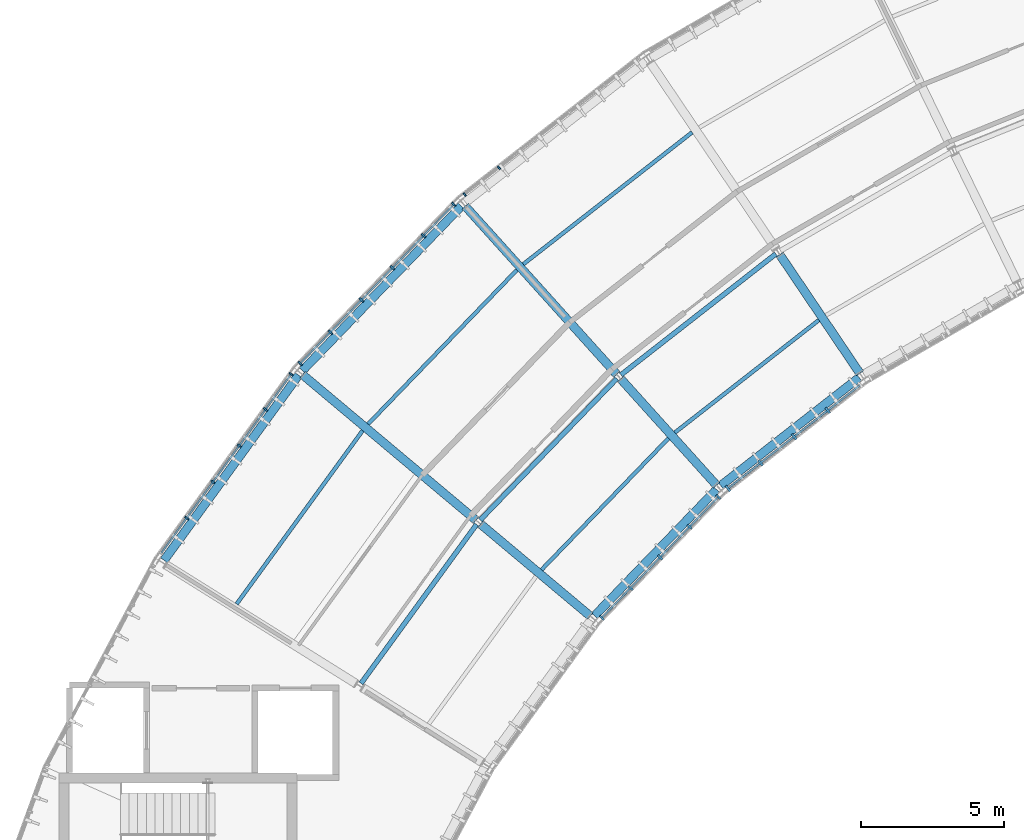
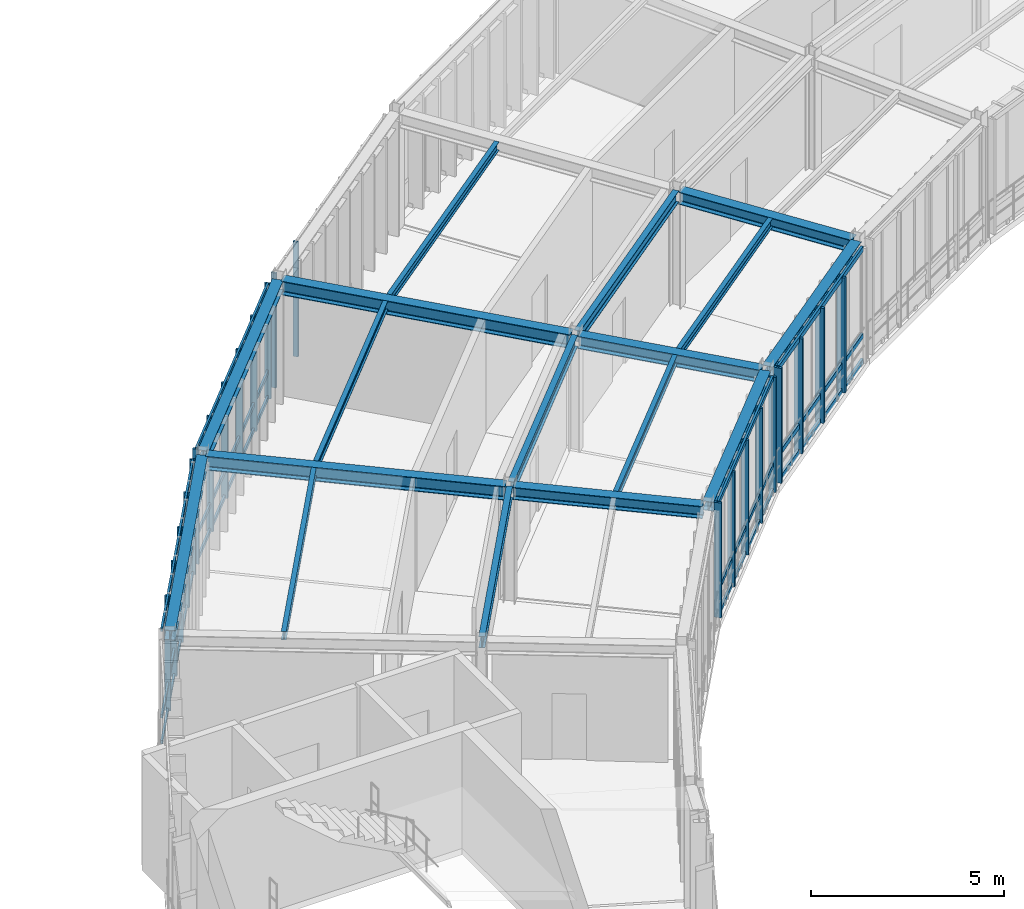
# One storey, part 12 of 42: 34 members, 17 beams, 5 elements without a shape of their own.
"""IFC4 building model written with IfcOpenShell, lengths in metres."""

from ifc_helpers import new_model, si_unit, direction, frame, origin, origin_2d, place, context, subcontext, project, spatial, rectangle, i_section, extrude, material, layer, layer_set, material_profile, profile_set, type_object, element, aggregate, save


model = new_model("IFC4")

# Units and contexts
model_context = context("Model", 3, precision=1e-05, world=origin(), true_north=direction((0.0, 1.0)))
body_context = subcontext(model_context, "Body", "Model", "MODEL_VIEW")
ifc_project = project(units=[si_unit("LENGTHUNIT", "METRE"), si_unit("AREAUNIT", "SQUARE_METRE"), si_unit("VOLUMEUNIT", "CUBIC_METRE"), si_unit("PLANEANGLEUNIT", "RADIAN"), si_unit("MASSUNIT", "GRAM", prefix="KILO"), si_unit("THERMODYNAMICTEMPERATUREUNIT", "KELVIN"), si_unit("POWERUNIT", "WATT")], contexts=[model_context])

# Site, building, storey
site_placement = place(None, origin())
site = spatial("IfcSite", under=ifc_project, at=site_placement, CompositionType="ELEMENT")
building_placement = place(site_placement, origin())
building = spatial("IfcBuilding", under=site, at=building_placement, Name="Solvatero Civic Police Headquarters", CompositionType="ELEMENT")
storey_placement = place(building_placement, frame((0.0, 0.0, 21.60009765625)))
storey = spatial("IfcBuildingStorey", under=building, at=storey_placement, Name="L05", CompositionType="ELEMENT", Elevation=21.60009765625)

# Beams
ifc_material_1 = material(Name="Steel S355", Category="steel")
ifc_material_profile_1 = material_profile(ifc_material_1, i_section(OverallWidth=0.300048828125, OverallDepth=0.2900390625, WebThickness=0.008544921875, FlangeThickness=0.013916015625, FilletRadius=0.027099609375, at=origin_2d()), Name="HEA 300")
ifc_profile_set_1 = profile_set([ifc_material_profile_1], Name="Steel S355")
beam_type_1 = type_object("IfcBeamType", Name="BM-ST-HEA300", PredefinedType="SPANDREL", material=ifc_profile_set_1)
for number, where, z_axis, x_axis, name in (
    (1, (68.561767578125, 63.535400390625, 3.554931640625), (-0.788005042089, -0.615668785665, 0.0), (0.615668785665, -0.788005042089, 0.0), "Perimeter / radial spandrel beam BM-R2-L05-ARC-CIN-B06"),
    (2, (63.58544921875, 59.629638671875, 3.554931640625), (-0.694666334327, -0.719332109635, 0.0), (0.719332109635, -0.694666334327, 0.0), "Perimeter / radial spandrel beam BM-R2-L05-ARC-CIN-B07"),
):
    element("IfcBeam", number, at=place(storey_placement, frame(where, z_axis=z_axis, x_axis=x_axis)), inside=storey, type_object=beam_type_1, Name=name, PredefinedType="SPANDREL", context=body_context, shape_type="SweptSolid", body=[
        extrude(i_section(OverallWidth=0.300048828125, OverallDepth=0.2900390625, WebThickness=0.008544921875, FlangeThickness=0.013916015625, FilletRadius=0.027099609375, at=origin_2d()), origin(), (0.0, 0.0, 1.0), 6.126953125),
    ])
ifc_material_profile_2 = material_profile(ifc_material_1, i_section(OverallWidth=0.300048828125, OverallDepth=0.31005859375, WebThickness=0.009033203125, FlangeThickness=0.015380859375, FilletRadius=0.027099609375, at=origin_2d()), Name="HEA 320")
ifc_profile_set_2 = profile_set([ifc_material_profile_2], Name="Steel S355")
beam_type_2 = type_object("IfcBeamType", Name="BM-ST-HEA320", PredefinedType="SPANDREL", material=ifc_profile_set_2)
beam_1_placement = place(storey_placement, frame((54.68603515625, 69.513427734375, 3.544921875), z_axis=(-0.694657827695, -0.719340324479, 0.0), x_axis=(0.719340324479, -0.694657827695, 0.0)))
element("IfcBeam", 3, at=beam_1_placement, inside=storey, type_object=beam_type_2, Name="Perimeter / radial spandrel beam BM-R2-L05-ARC-COUT-B07", PredefinedType="SPANDREL", context=body_context, shape_type="SweptSolid", body=[
    extrude(i_section(OverallWidth=0.300048828125, OverallDepth=0.31005859375, WebThickness=0.009033203125, FlangeThickness=0.015380859375, FilletRadius=0.027099609375, at=origin_2d()), origin(), (0.0, 0.0, 1.0), 7.982177734375),
])
beam_2_placement = place(storey_placement, frame((49.0126953125, 63.61865234375, 3.544921875), z_axis=(-0.587775184232, -0.809024309153, 0.0), x_axis=(0.809024309153, -0.587775184232, 0.0)))
element("IfcBeam", 4, at=beam_2_placement, inside=storey, type_object=beam_type_2, Name="Perimeter / radial spandrel beam BM-R2-L05-ARC-COUT-B08", PredefinedType="SPANDREL", context=body_context, shape_type="SweptSolid", body=[
    extrude(i_section(OverallWidth=0.300048828125, OverallDepth=0.31005859375, WebThickness=0.009033203125, FlangeThickness=0.015380859375, FilletRadius=0.027099609375, at=origin_2d()), origin(), (0.0, 0.0, 1.0), 7.982421875),
])
ifc_material_profile_3 = material_profile(ifc_material_1, i_section(OverallWidth=0.300048828125, OverallDepth=0.389892578125, WebThickness=0.010986328125, FlangeThickness=0.01904296875, FilletRadius=0.027099609375, at=origin_2d()), Name="HEA 400")
ifc_profile_set_3 = profile_set([ifc_material_profile_3], Name="Steel S355")
beam_type_3 = type_object("IfcBeamType", Name="BM-ST-HEA400", PredefinedType="BEAM", material=ifc_profile_set_3)
for number, where, z_axis, x_axis, name in (
    (5, (68.584716796875, 63.6796875, 3.5048828125), (-0.559176791171, 0.829048440211, 0.0), (-0.829048440211, -0.559176791171, 0.0), "Primary girder BM-R2-L05-ARC-RAD1-S05"),
    (6, (63.587890625, 59.77587890625, 3.5048828125), (-0.669126573551, 0.743148456614, 0.0), (-0.743148456614, -0.669126573551, 0.0), "Primary girder BM-R2-L05-ARC-RAD1-S06"),
):
    element("IfcBeam", number, at=place(storey_placement, frame(where, z_axis=z_axis, x_axis=x_axis)), inside=storey, type_object=beam_type_3, Name=name, PredefinedType="BEAM", context=body_context, shape_type="SweptSolid", body=[
        extrude(i_section(OverallWidth=0.300048828125, OverallDepth=0.389892578125, WebThickness=0.010986328125, FlangeThickness=0.01904296875, FilletRadius=0.027099609375, at=origin_2d()), origin(), (0.0, 0.0, 1.0), 5.0),
    ])
beam_3_placement = place(storey_placement, frame((59.183349609375, 55.214599609375, 3.5048828125), z_axis=(-0.766035646312, 0.642798093167, 0.0), x_axis=(-0.642798093167, -0.766035646312, 0.0)))
element("IfcBeam", 7, at=beam_3_placement, inside=storey, type_object=beam_type_3, Name="Primary girder BM-R2-L05-ARC-RAD1-S07", PredefinedType="BEAM", context=body_context, shape_type="SweptSolid", body=[
    extrude(i_section(OverallWidth=0.300048828125, OverallDepth=0.389892578125, WebThickness=0.010986328125, FlangeThickness=0.01904296875, FilletRadius=0.027099609375, at=origin_2d()), origin(), (0.0, 0.0, 1.0), 5.000244140625),
])
ifc_material_profile_4 = material_profile(ifc_material_1, i_section(OverallWidth=0.300048828125, OverallDepth=0.43994140625, WebThickness=0.011474609375, FlangeThickness=0.02099609375, FilletRadius=0.027099609375, at=origin_2d()), Name="HEA 450")
ifc_profile_set_4 = profile_set([ifc_material_profile_4], Name="Steel S355")
beam_type_4 = type_object("IfcBeamType", Name="BM-ST-HEA450", PredefinedType="BEAM", material=ifc_profile_set_4)
beam_4_placement = place(storey_placement, frame((60.1083984375, 63.640380859375, 3.47998046875), z_axis=(-0.669128632475, 0.743146602766, 0.0), x_axis=(-0.743146602766, -0.669128632475, 0.0)))
element("IfcBeam", 8, at=beam_4_placement, inside=storey, type_object=beam_type_4, Name="Primary girder BM-R2-L05-ARC-RAD2-S06", PredefinedType="BEAM", context=body_context, shape_type="SweptSolid", body=[
    extrude(i_section(OverallWidth=0.300048828125, OverallDepth=0.43994140625, WebThickness=0.011474609375, FlangeThickness=0.02099609375, FilletRadius=0.027099609375, at=origin_2d()), origin(), (0.0, 0.0, 1.0), 7.899658203125),
])
beam_5_placement = place(storey_placement, frame((55.199951171875, 58.55712890625, 3.47998046875), z_axis=(-0.766038381489, 0.642794833587, 0.0), x_axis=(-0.642794833587, -0.766038381489, 0.0)))
element("IfcBeam", 9, at=beam_5_placement, inside=storey, type_object=beam_type_4, Name="Primary girder BM-R2-L05-ARC-RAD2-S07", PredefinedType="BEAM", context=body_context, shape_type="SweptSolid", body=[
    extrude(i_section(OverallWidth=0.300048828125, OverallDepth=0.43994140625, WebThickness=0.011474609375, FlangeThickness=0.02099609375, FilletRadius=0.027099609375, at=origin_2d()), origin(), (0.0, 0.0, 1.0), 7.900146484375),
])
ifc_material_profile_5 = material_profile(ifc_material_1, i_section(OverallWidth=0.135009765625, OverallDepth=0.27001953125, WebThickness=0.006591796875, FlangeThickness=0.01025390625, FilletRadius=0.014892578125, at=origin_2d()), Name="IPE 270")
ifc_profile_set_5 = profile_set([ifc_material_profile_5], Name="Steel S355")
beam_type_5 = type_object("IfcBeamType", Name="BM-ST-IPE270", PredefinedType="BEAM", material=ifc_profile_set_5)
beam_6_placement = place(storey_placement, frame((67.15234375, 65.53564453125, 3.56494140625), z_axis=(-0.787994151897, -0.615682723955, 0.0), x_axis=(0.615682723955, -0.787994151897, 0.0)))
element("IfcBeam", 10, at=beam_6_placement, inside=storey, type_object=beam_type_5, Name="Composite floor beam BM-R2-L05-ARC-CS1-B06", PredefinedType="BEAM", context=body_context, shape_type="SweptSolid", body=[
    extrude(i_section(OverallWidth=0.135009765625, OverallDepth=0.27001953125, WebThickness=0.006591796875, FlangeThickness=0.01025390625, FilletRadius=0.014892578125, at=origin_2d()), origin(), (0.0, 0.0, 1.0), 6.36865234375),
])
beam_7_placement = place(storey_placement, frame((62.73486328125, 72.085205078125, 3.56494140625), z_axis=(-0.78800951062, -0.615663066272, 0.0), x_axis=(0.615663066272, -0.78800951062, 0.0)))
element("IfcBeam", 11, at=beam_7_placement, inside=storey, type_object=beam_type_5, Name="Composite floor beam BM-R2-L05-ARC-CS2-B06", PredefinedType="BEAM", context=body_context, shape_type="SweptSolid", body=[
    extrude(i_section(OverallWidth=0.135009765625, OverallDepth=0.27001953125, WebThickness=0.006591796875, FlangeThickness=0.01025390625, FilletRadius=0.014892578125, at=origin_2d()), origin(), (0.0, 0.0, 1.0), 7.470947265625),
])
beam_8_placement = place(storey_placement, frame((61.911376953125, 61.414306640625, 3.56494140625), z_axis=(-0.694655397836, -0.719342670956, 0.0), x_axis=(0.719342670956, -0.694655397836, 0.0)))
element("IfcBeam", 12, at=beam_8_placement, inside=storey, type_object=beam_type_5, Name="Composite floor beam BM-R2-L05-ARC-CS1-B07", PredefinedType="BEAM", context=body_context, shape_type="SweptSolid", body=[
    extrude(i_section(OverallWidth=0.135009765625, OverallDepth=0.27001953125, WebThickness=0.006591796875, FlangeThickness=0.01025390625, FilletRadius=0.014892578125, at=origin_2d()), origin(), (0.0, 0.0, 1.0), 6.36865234375),
])
for number, where, z_axis, x_axis, name in (
    (13, (56.625244140625, 67.285400390625, 3.56494140625), (-0.69464641537, -0.719351345042, 0.0), (0.719351345042, -0.69464641537, 0.0), "Composite floor beam BM-R2-L05-ARC-CS2-B07"),
    (14, (51.2431640625, 61.681884765625, 3.56494140625), (-0.587800506185, -0.809005911554, 0.0), (0.809005911554, -0.587800506185, 0.0), "Composite floor beam BM-R2-L05-ARC-CS2-B08"),
):
    element("IfcBeam", number, at=place(storey_placement, frame(where, z_axis=z_axis, x_axis=x_axis)), inside=storey, type_object=beam_type_5, Name=name, PredefinedType="BEAM", context=body_context, shape_type="SweptSolid", body=[
        extrude(i_section(OverallWidth=0.135009765625, OverallDepth=0.27001953125, WebThickness=0.006591796875, FlangeThickness=0.01025390625, FilletRadius=0.014892578125, at=origin_2d()), origin(), (0.0, 0.0, 1.0), 7.470947265625),
    ])
ifc_material_profile_6 = material_profile(ifc_material_1, i_section(OverallWidth=0.169921875, OverallDepth=0.360107421875, WebThickness=0.008056640625, FlangeThickness=0.0126953125, FilletRadius=0.01806640625, at=origin_2d()), Name="IPE 360")
ifc_profile_set_6 = profile_set([ifc_material_profile_6], Name="Steel S355")
beam_type_6 = type_object("IfcBeamType", Name="BM-ST-IPE360", PredefinedType="BEAM", material=ifc_profile_set_6)
beam_9_placement = place(storey_placement, frame((65.654052734375, 67.84619140625, 3.52001953125), z_axis=(-0.788036257023, -0.615628831047, 0.0), x_axis=(0.615628831047, -0.788036257023, 0.0)))
element("IfcBeam", 15, at=beam_9_placement, inside=storey, type_object=beam_type_6, Name="Composite floor beam BM-R2-L05-ARC-CMID-B06", PredefinedType="BEAM", context=body_context, shape_type="SweptSolid", body=[
    extrude(i_section(OverallWidth=0.169921875, OverallDepth=0.360107421875, WebThickness=0.008056640625, FlangeThickness=0.0126953125, FilletRadius=0.01806640625, at=origin_2d()), origin(), (0.0, 0.0, 1.0), 6.852294921875),
])
for number, where, z_axis, x_axis, name in (
    (16, (60.10595703125, 63.494140625, 3.52001953125), (-0.694635840839, -0.719361556258, 0.0), (0.719361556258, -0.694635840839, 0.0), "Composite floor beam BM-R2-L05-ARC-CMID-B07"),
    (17, (55.2177734375, 58.412109375, 3.52001953125), (-0.587794552249, -0.809010237479, 0.0), (0.809010237479, -0.587794552249, 0.0), "Composite floor beam BM-R2-L05-ARC-CMID-B08"),
):
    element("IfcBeam", number, at=place(storey_placement, frame(where, z_axis=z_axis, x_axis=x_axis)), inside=storey, type_object=beam_type_6, Name=name, PredefinedType="BEAM", context=body_context, shape_type="SweptSolid", body=[
        extrude(i_section(OverallWidth=0.169921875, OverallDepth=0.360107421875, WebThickness=0.008056640625, FlangeThickness=0.0126953125, FilletRadius=0.01806640625, at=origin_2d()), origin(), (0.0, 0.0, 1.0), 6.8525390625),
    ])

# Curtain wall, members
ifc_material_2 = material(Name="Anodized Bronze Aluminium", Category="aluminium")
ifc_layer_1 = layer(ifc_material_2, 0.179931640625)
ifc_layer_set_1 = layer_set([ifc_layer_1], Name="Anodized Bronze Aluminium")
curtain_wall_type_1 = type_object("IfcCurtainWallType", Name="CW-ARC-IN", PredefinedType="USERDEFINED", material=ifc_layer_set_1)
curtain_wall_1_placement = place(storey_placement, origin())
curtain_wall_1 = element("IfcCurtainWall", 18, at=curtain_wall_1_placement, inside=storey, type_object=curtain_wall_type_1, Name="Curtain Wall CW-R2-L05-ARC-IN-B06", ObjectType="UNITISED", PredefinedType="USERDEFINED")
ifc_material_profile_7 = material_profile(ifc_material_2, rectangle(XDim=0.080078125, YDim=0.239990234375, at=origin_2d()), Name="ALU MULLION 80x240")
ifc_profile_set_7 = profile_set([ifc_material_profile_7], Name="Anodized Bronze Aluminium")
member_type_1 = type_object("IfcMemberType", Name="CWM-140x60", PredefinedType="MULLION", material=ifc_profile_set_7)
member_1_placement = place(storey_placement, frame((67.462646484375, 62.38525390625, 0.0), z_axis=(0.0, 0.0, 1.0), x_axis=(-0.788010753607, -0.615661475326, 0.0)))
member_1 = element("IfcMember", 19, at=member_1_placement, type_object=member_type_1, Name="CW-R2-L05-ARC-IN-B06 Mullion 2", PredefinedType="MULLION", context=body_context, shape_type="SweptSolid", body=[
    extrude(rectangle(XDim=0.080078125, YDim=0.239990234375, at=origin_2d()), origin(), (0.0, 0.0, 1.0), 3.639892578125),
])
member_2_placement = place(storey_placement, frame((66.29296875, 61.471435546875, 0.0), z_axis=(0.0, 0.0, 1.0), x_axis=(-0.788010753607, -0.615661475326, 0.0)))
member_2 = element("IfcMember", 20, at=member_2_placement, type_object=member_type_1, Name="CW-R2-L05-ARC-IN-B06 Mullion 3", PredefinedType="MULLION", context=body_context, shape_type="SweptSolid", body=[
    extrude(rectangle(XDim=0.080078125, YDim=0.239990234375, at=origin_2d()), origin(), (0.0, 0.0, 1.0), 3.639892578125),
])
member_3_placement = place(storey_placement, frame((65.123291015625, 60.5576171875, 0.0), z_axis=(0.0, 0.0, 1.0), x_axis=(-0.788010753607, -0.615661475326, 0.0)))
member_3 = element("IfcMember", 21, at=member_3_placement, type_object=member_type_1, Name="CW-R2-L05-ARC-IN-B06 Mullion 4", PredefinedType="MULLION", context=body_context, shape_type="SweptSolid", body=[
    extrude(rectangle(XDim=0.080078125, YDim=0.239990234375, at=origin_2d()), origin(), (0.0, 0.0, 1.0), 3.639892578125),
])
member_4_placement = place(storey_placement, frame((63.985107421875, 59.66845703125, 0.0), z_axis=(0.0, 0.0, 1.0), x_axis=(-0.788010753607, -0.615661475326, 0.0)))
member_4 = element("IfcMember", 22, at=member_4_placement, type_object=member_type_1, Name="CW-R2-L05-ARC-IN-B06 Mullion 5", PredefinedType="MULLION", context=body_context, shape_type="SweptSolid", body=[
    extrude(rectangle(XDim=0.080078125, YDim=0.239990234375, at=origin_2d()), origin(), (0.0, 0.0, 1.0), 3.639892578125),
])

ifc_layer_2 = layer(ifc_material_2, 0.179931640625)
ifc_layer_set_2 = layer_set([ifc_layer_2], Name="Anodized Bronze Aluminium")
curtain_wall_type_2 = type_object("IfcCurtainWallType", Name="CW-ARC-OUT", PredefinedType="USERDEFINED", material=ifc_layer_set_2)
curtain_wall_2_placement = place(storey_placement, origin())
curtain_wall_2 = element("IfcCurtainWall", 23, at=curtain_wall_2_placement, inside=storey, type_object=curtain_wall_type_2, Name="Curtain Wall CW-R2-L05-ARC-OUT-B06", ObjectType="UNITISED", PredefinedType="USERDEFINED")
ifc_material_profile_8 = material_profile(ifc_material_2, rectangle(XDim=0.06005859375, YDim=0.139892578125, at=origin_2d()), Name="ALU MULLION 60x140")
ifc_profile_set_8 = profile_set([ifc_material_profile_8], Name="Anodized Bronze Aluminium")
member_type_2 = type_object("IfcMemberType", Name="CWM-160x65", PredefinedType="MULLION", material=ifc_profile_set_8)
member_5_placement = place(storey_placement, frame((56.0, 70.848876953125, 0.0), z_axis=(0.0, 0.0, 1.0), x_axis=(-0.788010753607, -0.615661475326, 0.0)))
member_5 = element("IfcMember", 24, at=member_5_placement, type_object=member_type_2, Name="CW-R2-L05-ARC-OUT-B06 Mullion 5", PredefinedType="MULLION", context=body_context, shape_type="SweptSolid", body=[
    extrude(rectangle(XDim=0.06005859375, YDim=0.139892578125, at=origin_2d()), origin(), (0.0, 0.0, 1.0), 3.639892578125),
])
member_6_placement = place(storey_placement, frame((54.80322265625, 69.9140625, 0.0), z_axis=(0.0, 0.0, 1.0), x_axis=(-0.788010753607, -0.615661475326, 0.0)))
member_6 = element("IfcMember", 25, at=member_6_placement, type_object=member_type_2, Name="CW-R2-L05-ARC-OUT-B06 Mullion 6", PredefinedType="MULLION", context=body_context, shape_type="SweptSolid", body=[
    extrude(rectangle(XDim=0.06005859375, YDim=0.139892578125, at=origin_2d()), origin(), (0.0, 0.0, 1.0), 3.639892578125),
])
aggregate(curtain_wall_2, [member_5, member_6])

curtain_wall_3_placement = place(storey_placement, origin())
curtain_wall_3 = element("IfcCurtainWall", 26, at=curtain_wall_3_placement, inside=storey, type_object=curtain_wall_type_2, Name="Curtain Wall CW-R2-L05-ARC-OUT-B08", ObjectType="UNITISED", PredefinedType="USERDEFINED")
ifc_material_profile_9 = material_profile(ifc_material_2, rectangle(XDim=0.06005859375, YDim=0.159912109375, at=origin_2d()), Name="ALU MULLION 60x160")
ifc_profile_set_9 = profile_set([ifc_material_profile_9], Name="Anodized Bronze Aluminium")
member_type_3 = type_object("IfcMemberType", Name="CWM-180x70", PredefinedType="MULLION", material=ifc_profile_set_9)
member_7_placement = place(storey_placement, frame((48.750732421875, 63.648193359375, 0.0), z_axis=(0.0, 0.0, 1.0), x_axis=(-0.587785252292, -0.809016994375, 0.0)))
member_7 = element("IfcMember", 27, at=member_7_placement, type_object=member_type_3, Name="CW-R2-L05-ARC-OUT-B08 Mullion 1", PredefinedType="MULLION", context=body_context, shape_type="SweptSolid", body=[
    extrude(rectangle(XDim=0.06005859375, YDim=0.159912109375, at=origin_2d()), origin(), (0.0, 0.0, 1.0), 3.639892578125),
])
member_8_placement = place(storey_placement, frame((47.858154296875, 62.419921875, 0.0), z_axis=(0.0, 0.0, 1.0), x_axis=(-0.587785252292, -0.809016994375, 0.0)))
member_8 = element("IfcMember", 28, at=member_8_placement, type_object=member_type_3, Name="CW-R2-L05-ARC-OUT-B08 Mullion 2", PredefinedType="MULLION", context=body_context, shape_type="SweptSolid", body=[
    extrude(rectangle(XDim=0.06005859375, YDim=0.159912109375, at=origin_2d()), origin(), (0.0, 0.0, 1.0), 3.639892578125),
])
member_9_placement = place(storey_placement, frame((46.942138671875, 61.158935546875, 0.0), z_axis=(0.0, 0.0, 1.0), x_axis=(-0.587785252292, -0.809016994375, 0.0)))
member_9 = element("IfcMember", 29, at=member_9_placement, type_object=member_type_3, Name="CW-R2-L05-ARC-OUT-B08 Mullion 3", PredefinedType="MULLION", context=body_context, shape_type="SweptSolid", body=[
    extrude(rectangle(XDim=0.06005859375, YDim=0.159912109375, at=origin_2d()), origin(), (0.0, 0.0, 1.0), 3.639892578125),
])
member_10_placement = place(storey_placement, frame((46.02587890625, 59.898193359375, 0.0), z_axis=(0.0, 0.0, 1.0), x_axis=(-0.587785252292, -0.809016994375, 0.0)))
member_10 = element("IfcMember", 30, at=member_10_placement, type_object=member_type_3, Name="CW-R2-L05-ARC-OUT-B08 Mullion 4", PredefinedType="MULLION", context=body_context, shape_type="SweptSolid", body=[
    extrude(rectangle(XDim=0.06005859375, YDim=0.159912109375, at=origin_2d()), origin(), (0.0, 0.0, 1.0), 3.639892578125),
])
member_11_placement = place(storey_placement, frame((45.110107421875, 58.63720703125, 0.0), z_axis=(0.0, 0.0, 1.0), x_axis=(-0.587785252292, -0.809016994375, 0.0)))
member_11 = element("IfcMember", 31, at=member_11_placement, type_object=member_type_3, Name="CW-R2-L05-ARC-OUT-B08 Mullion 5", PredefinedType="MULLION", context=body_context, shape_type="SweptSolid", body=[
    extrude(rectangle(XDim=0.06005859375, YDim=0.159912109375, at=origin_2d()), origin(), (0.0, 0.0, 1.0), 3.639892578125),
])

curtain_wall_4_placement = place(storey_placement, origin())
curtain_wall_4 = element("IfcCurtainWall", 32, at=curtain_wall_4_placement, inside=storey, type_object=curtain_wall_type_2, Name="Curtain Wall CW-R2-L05-ARC-OUT-B07", ObjectType="UNITISED", PredefinedType="USERDEFINED")
ifc_material_profile_10 = material_profile(ifc_material_2, rectangle(XDim=0.06494140625, YDim=0.179931640625, at=origin_2d()), Name="ALU MULLION 65x180")
ifc_profile_set_10 = profile_set([ifc_material_profile_10], Name="Anodized Bronze Aluminium")
member_type_4 = type_object("IfcMemberType", Name="CWM-200x75", PredefinedType="MULLION", material=ifc_profile_set_10)
member_12_placement = place(storey_placement, frame((54.423583984375, 69.572021484375, 0.0), z_axis=(0.0, 0.0, 1.0), x_axis=(-0.694658370459, -0.719339800339, 0.0)))
member_12 = element("IfcMember", 33, at=member_12_placement, type_object=member_type_4, Name="CW-R2-L05-ARC-OUT-B07 Mullion 1", PredefinedType="MULLION", context=body_context, shape_type="SweptSolid", body=[
    extrude(rectangle(XDim=0.06494140625, YDim=0.179931640625, at=origin_2d()), origin(), (0.0, 0.0, 1.0), 3.639892578125),
])
member_13_placement = place(storey_placement, frame((53.368896484375, 68.479736328125, 0.0), z_axis=(0.0, 0.0, 1.0), x_axis=(-0.694658370459, -0.719339800339, 0.0)))
member_13 = element("IfcMember", 34, at=member_13_placement, type_object=member_type_4, Name="CW-R2-L05-ARC-OUT-B07 Mullion 2", PredefinedType="MULLION", context=body_context, shape_type="SweptSolid", body=[
    extrude(rectangle(XDim=0.06494140625, YDim=0.179931640625, at=origin_2d()), origin(), (0.0, 0.0, 1.0), 3.639892578125),
])
member_14_placement = place(storey_placement, frame((52.286376953125, 67.35888671875, 0.0), z_axis=(0.0, 0.0, 1.0), x_axis=(-0.694658370459, -0.719339800339, 0.0)))
member_14 = element("IfcMember", 35, at=member_14_placement, type_object=member_type_4, Name="CW-R2-L05-ARC-OUT-B07 Mullion 3", PredefinedType="MULLION", context=body_context, shape_type="SweptSolid", body=[
    extrude(rectangle(XDim=0.06494140625, YDim=0.179931640625, at=origin_2d()), origin(), (0.0, 0.0, 1.0), 3.639892578125),
])
member_15_placement = place(storey_placement, frame((51.20361328125, 66.23779296875, 0.0), z_axis=(0.0, 0.0, 1.0), x_axis=(-0.694658370459, -0.719339800339, 0.0)))
member_15 = element("IfcMember", 36, at=member_15_placement, type_object=member_type_4, Name="CW-R2-L05-ARC-OUT-B07 Mullion 4", PredefinedType="MULLION", context=body_context, shape_type="SweptSolid", body=[
    extrude(rectangle(XDim=0.06494140625, YDim=0.179931640625, at=origin_2d()), origin(), (0.0, 0.0, 1.0), 3.639892578125),
])
member_16_placement = place(storey_placement, frame((50.12109375, 65.11669921875, 0.0), z_axis=(0.0, 0.0, 1.0), x_axis=(-0.694658370459, -0.719339800339, 0.0)))
member_16 = element("IfcMember", 37, at=member_16_placement, type_object=member_type_4, Name="CW-R2-L05-ARC-OUT-B07 Mullion 5", PredefinedType="MULLION", context=body_context, shape_type="SweptSolid", body=[
    extrude(rectangle(XDim=0.06494140625, YDim=0.179931640625, at=origin_2d()), origin(), (0.0, 0.0, 1.0), 3.639892578125),
])
member_17_placement = place(storey_placement, frame((49.06640625, 64.0244140625, 0.0), z_axis=(0.0, 0.0, 1.0), x_axis=(-0.694658370459, -0.719339800339, 0.0)))
member_17 = element("IfcMember", 38, at=member_17_placement, type_object=member_type_4, Name="CW-R2-L05-ARC-OUT-B07 Mullion 6", PredefinedType="MULLION", context=body_context, shape_type="SweptSolid", body=[
    extrude(rectangle(XDim=0.06494140625, YDim=0.179931640625, at=origin_2d()), origin(), (0.0, 0.0, 1.0), 3.639892578125),
])

curtain_wall_5_placement = place(storey_placement, origin())
curtain_wall_5 = element("IfcCurtainWall", 39, at=curtain_wall_5_placement, inside=storey, type_object=curtain_wall_type_1, Name="Curtain Wall CW-R2-L05-ARC-IN-B07", ObjectType="UNITISED", PredefinedType="USERDEFINED")
ifc_material_profile_11 = material_profile(ifc_material_2, rectangle(XDim=0.070068359375, YDim=0.199951171875, at=origin_2d()), Name="ALU MULLION 70x200")
ifc_profile_set_11 = profile_set([ifc_material_profile_11], Name="Anodized Bronze Aluminium")
member_type_5 = type_object("IfcMemberType", Name="CWM-220x80", PredefinedType="MULLION", material=ifc_profile_set_11)
member_18_placement = place(storey_placement, frame((63.6533203125, 59.369384765625, 0.0), z_axis=(0.0, 0.0, 1.0), x_axis=(-0.694658370459, -0.719339800339, 0.0)))
member_18 = element("IfcMember", 40, at=member_18_placement, type_object=member_type_5, Name="CW-R2-L05-ARC-IN-B07 Mullion 1", PredefinedType="MULLION", context=body_context, shape_type="SweptSolid", body=[
    extrude(rectangle(XDim=0.070068359375, YDim=0.199951171875, at=origin_2d()), origin(), (0.0, 0.0, 1.0), 3.639892578125),
])
member_19_placement = place(storey_placement, frame((62.64990234375, 58.33056640625, 0.0), z_axis=(0.0, 0.0, 1.0), x_axis=(-0.694658370459, -0.719339800339, 0.0)))
member_19 = element("IfcMember", 41, at=member_19_placement, type_object=member_type_5, Name="CW-R2-L05-ARC-IN-B07 Mullion 2", PredefinedType="MULLION", context=body_context, shape_type="SweptSolid", body=[
    extrude(rectangle(XDim=0.070068359375, YDim=0.199951171875, at=origin_2d()), origin(), (0.0, 0.0, 1.0), 3.639892578125),
])
member_20_placement = place(storey_placement, frame((61.618896484375, 57.262939453125, 0.0), z_axis=(0.0, 0.0, 1.0), x_axis=(-0.694658370459, -0.719339800339, 0.0)))
member_20 = element("IfcMember", 42, at=member_20_placement, type_object=member_type_5, Name="CW-R2-L05-ARC-IN-B07 Mullion 3", PredefinedType="MULLION", context=body_context, shape_type="SweptSolid", body=[
    extrude(rectangle(XDim=0.070068359375, YDim=0.199951171875, at=origin_2d()), origin(), (0.0, 0.0, 1.0), 3.639892578125),
])
member_21_placement = place(storey_placement, frame((60.587890625, 56.1953125, 0.0), z_axis=(0.0, 0.0, 1.0), x_axis=(-0.694658370459, -0.719339800339, 0.0)))
member_21 = element("IfcMember", 43, at=member_21_placement, type_object=member_type_5, Name="CW-R2-L05-ARC-IN-B07 Mullion 4", PredefinedType="MULLION", context=body_context, shape_type="SweptSolid", body=[
    extrude(rectangle(XDim=0.070068359375, YDim=0.199951171875, at=origin_2d()), origin(), (0.0, 0.0, 1.0), 3.639892578125),
])
member_22_placement = place(storey_placement, frame((59.584716796875, 55.156494140625, 0.0), z_axis=(0.0, 0.0, 1.0), x_axis=(-0.694658370459, -0.719339800339, 0.0)))
member_22 = element("IfcMember", 44, at=member_22_placement, type_object=member_type_5, Name="CW-R2-L05-ARC-IN-B07 Mullion 5", PredefinedType="MULLION", context=body_context, shape_type="SweptSolid", body=[
    extrude(rectangle(XDim=0.070068359375, YDim=0.199951171875, at=origin_2d()), origin(), (0.0, 0.0, 1.0), 3.639892578125),
])

# Member
ifc_material_profile_12 = material_profile(ifc_material_2, rectangle(XDim=0.070068359375, YDim=0.159912109375, at=origin_2d()), Name="ALU TRANSOM 70x160")
ifc_profile_set_12 = profile_set([ifc_material_profile_12], Name="Anodized Bronze Aluminium")
member_type_6 = type_object("IfcMemberType", Name="CWT-120x55", PredefinedType="USERDEFINED", material=ifc_profile_set_12)
member_23_placement = place(storey_placement, frame((68.5927734375, 63.268310546875, 0.039794921875), z_axis=(-0.788019300693, -0.615650535398, 0.0), x_axis=(0.615650535398, -0.788019300693, 0.0)))
member_23 = element("IfcMember", 45, at=member_23_placement, type_object=member_type_6, Name="CW-R2-L05-ARC-IN-B06 Transom 1", ObjectType="TRANSOM", PredefinedType="USERDEFINED", context=body_context, shape_type="SweptSolid", body=[
    extrude(rectangle(XDim=0.070068359375, YDim=0.159912109375, at=origin_2d()), origin(), (0.0, 0.0, 1.0), 5.8369140625),
])

member_24_placement = place(storey_placement, frame((68.5927734375, 63.268310546875, 0.849853515625), z_axis=(-0.788019300693, -0.615650535398, 0.0), x_axis=(0.615650535398, -0.788019300693, 0.0)))
member_24 = element("IfcMember", 46, at=member_24_placement, type_object=member_type_6, Name="CW-R2-L05-ARC-IN-B06 Transom 2", ObjectType="TRANSOM", PredefinedType="USERDEFINED", context=body_context, shape_type="SweptSolid", body=[
    extrude(rectangle(XDim=0.070068359375, YDim=0.159912109375, at=origin_2d()), origin(), (0.0, 0.0, 1.0), 5.8369140625),
])

member_25_placement = place(storey_placement, frame((68.5927734375, 63.268310546875, 3.599853515625), z_axis=(-0.788019300693, -0.615650535398, 0.0), x_axis=(0.615650535398, -0.788019300693, 0.0)))
member_25 = element("IfcMember", 47, at=member_25_placement, type_object=member_type_6, Name="CW-R2-L05-ARC-IN-B06 Transom 3", ObjectType="TRANSOM", PredefinedType="USERDEFINED", context=body_context, shape_type="SweptSolid", body=[
    extrude(rectangle(XDim=0.070068359375, YDim=0.159912109375, at=origin_2d()), origin(), (0.0, 0.0, 1.0), 5.8369140625),
])

aggregate(curtain_wall_1, [member_1, member_2, member_3, member_4, member_23, member_24, member_25])

ifc_material_profile_13 = material_profile(ifc_material_2, rectangle(XDim=0.06005859375, YDim=0.110107421875, at=origin_2d()), Name="ALU TRANSOM 60x110")
ifc_profile_set_13 = profile_set([ifc_material_profile_13], Name="Anodized Bronze Aluminium")
member_type_7 = type_object("IfcMemberType", Name="CWT-140x60", PredefinedType="USERDEFINED", material=ifc_profile_set_13)
member_26_placement = place(storey_placement, frame((48.744873046875, 63.64013671875, 0.039794921875), z_axis=(-0.58779420462, -0.809010490052, 0.0), x_axis=(0.809010490052, -0.58779420462, 0.0)))
member_26 = element("IfcMember", 48, at=member_26_placement, type_object=member_type_7, Name="CW-R2-L05-ARC-OUT-B08 Transom 1", ObjectType="TRANSOM", PredefinedType="USERDEFINED", context=body_context, shape_type="SweptSolid", body=[
    extrude(rectangle(XDim=0.06005859375, YDim=0.110107421875, at=origin_2d()), origin(), (0.0, 0.0, 1.0), 7.6923828125),
])

member_27_placement = place(storey_placement, frame((48.744873046875, 63.64013671875, 0.849853515625), z_axis=(-0.58779420462, -0.809010490052, 0.0), x_axis=(0.809010490052, -0.58779420462, 0.0)))
member_27 = element("IfcMember", 49, at=member_27_placement, type_object=member_type_7, Name="CW-R2-L05-ARC-OUT-B08 Transom 2", ObjectType="TRANSOM", PredefinedType="USERDEFINED", context=body_context, shape_type="SweptSolid", body=[
    extrude(rectangle(XDim=0.06005859375, YDim=0.110107421875, at=origin_2d()), origin(), (0.0, 0.0, 1.0), 7.6923828125),
])

member_28_placement = place(storey_placement, frame((48.744873046875, 63.64013671875, 3.599853515625), z_axis=(-0.58779420462, -0.809010490052, 0.0), x_axis=(0.809010490052, -0.58779420462, 0.0)))
member_28 = element("IfcMember", 50, at=member_28_placement, type_object=member_type_7, Name="CW-R2-L05-ARC-OUT-B08 Transom 3", ObjectType="TRANSOM", PredefinedType="USERDEFINED", context=body_context, shape_type="SweptSolid", body=[
    extrude(rectangle(XDim=0.06005859375, YDim=0.110107421875, at=origin_2d()), origin(), (0.0, 0.0, 1.0), 7.6923828125),
])

aggregate(curtain_wall_3, [member_7, member_8, member_9, member_10, member_11, member_26, member_27, member_28])

ifc_material_profile_14 = material_profile(ifc_material_2, rectangle(XDim=0.06005859375, YDim=0.125, at=origin_2d()), Name="ALU TRANSOM 60x125")
ifc_profile_set_14 = profile_set([ifc_material_profile_14], Name="Anodized Bronze Aluminium")
member_type_8 = type_object("IfcMemberType", Name="CWT-160x65", PredefinedType="USERDEFINED", material=ifc_profile_set_14)
member_29_placement = place(storey_placement, frame((54.416748046875, 69.56494140625, 0.039794921875), z_axis=(-0.694652851015, -0.719345130363, 0.0), x_axis=(0.719345130363, -0.694652851015, 0.0)))
member_29 = element("IfcMember", 51, at=member_29_placement, type_object=member_type_8, Name="CW-R2-L05-ARC-OUT-B07 Transom 1", ObjectType="TRANSOM", PredefinedType="USERDEFINED", context=body_context, shape_type="SweptSolid", body=[
    extrude(rectangle(XDim=0.06005859375, YDim=0.125, at=origin_2d()), origin(), (0.0, 0.0, 1.0), 7.6923828125),
])

member_30_placement = place(storey_placement, frame((54.416748046875, 69.56494140625, 0.849853515625), z_axis=(-0.694652851015, -0.719345130363, 0.0), x_axis=(0.719345130363, -0.694652851015, 0.0)))
member_30 = element("IfcMember", 52, at=member_30_placement, type_object=member_type_8, Name="CW-R2-L05-ARC-OUT-B07 Transom 2", ObjectType="TRANSOM", PredefinedType="USERDEFINED", context=body_context, shape_type="SweptSolid", body=[
    extrude(rectangle(XDim=0.06005859375, YDim=0.125, at=origin_2d()), origin(), (0.0, 0.0, 1.0), 7.6923828125),
])

member_31_placement = place(storey_placement, frame((54.416748046875, 69.56494140625, 3.599853515625), z_axis=(-0.694652851015, -0.719345130363, 0.0), x_axis=(0.719345130363, -0.694652851015, 0.0)))
member_31 = element("IfcMember", 53, at=member_31_placement, type_object=member_type_8, Name="CW-R2-L05-ARC-OUT-B07 Transom 3", ObjectType="TRANSOM", PredefinedType="USERDEFINED", context=body_context, shape_type="SweptSolid", body=[
    extrude(rectangle(XDim=0.06005859375, YDim=0.125, at=origin_2d()), origin(), (0.0, 0.0, 1.0), 7.6923828125),
])

aggregate(curtain_wall_4, [member_12, member_13, member_14, member_15, member_16, member_17, member_29, member_30, member_31])

ifc_material_profile_15 = material_profile(ifc_material_2, rectangle(XDim=0.06494140625, YDim=0.139892578125, at=origin_2d()), Name="ALU TRANSOM 65x140")
ifc_profile_set_15 = profile_set([ifc_material_profile_15], Name="Anodized Bronze Aluminium")
member_type_9 = type_object("IfcMemberType", Name="CWT-180x70", PredefinedType="USERDEFINED", material=ifc_profile_set_15)
member_32_placement = place(storey_placement, frame((63.646240234375, 59.3623046875, 0.039794921875), z_axis=(-0.694681099272, -0.719317850685, 0.0), x_axis=(0.719317850685, -0.694681099272, 0.0)))
member_32 = element("IfcMember", 54, at=member_32_placement, type_object=member_type_9, Name="CW-R2-L05-ARC-IN-B07 Transom 1", ObjectType="TRANSOM", PredefinedType="USERDEFINED", context=body_context, shape_type="SweptSolid", body=[
    extrude(rectangle(XDim=0.06494140625, YDim=0.139892578125, at=origin_2d()), origin(), (0.0, 0.0, 1.0), 5.836669921875),
])

member_33_placement = place(storey_placement, frame((63.646240234375, 59.3623046875, 0.849853515625), z_axis=(-0.694681099272, -0.719317850685, 0.0), x_axis=(0.719317850685, -0.694681099272, 0.0)))
member_33 = element("IfcMember", 55, at=member_33_placement, type_object=member_type_9, Name="CW-R2-L05-ARC-IN-B07 Transom 2", ObjectType="TRANSOM", PredefinedType="USERDEFINED", context=body_context, shape_type="SweptSolid", body=[
    extrude(rectangle(XDim=0.06494140625, YDim=0.139892578125, at=origin_2d()), origin(), (0.0, 0.0, 1.0), 5.836669921875),
])

member_34_placement = place(storey_placement, frame((63.646240234375, 59.3623046875, 3.599853515625), z_axis=(-0.694681099272, -0.719317850685, 0.0), x_axis=(0.719317850685, -0.694681099272, 0.0)))
member_34 = element("IfcMember", 56, at=member_34_placement, type_object=member_type_9, Name="CW-R2-L05-ARC-IN-B07 Transom 3", ObjectType="TRANSOM", PredefinedType="USERDEFINED", context=body_context, shape_type="SweptSolid", body=[
    extrude(rectangle(XDim=0.06494140625, YDim=0.139892578125, at=origin_2d()), origin(), (0.0, 0.0, 1.0), 5.836669921875),
])

aggregate(curtain_wall_5, [member_18, member_19, member_20, member_21, member_22, member_32, member_33, member_34])

save(model, "model.ifc")
